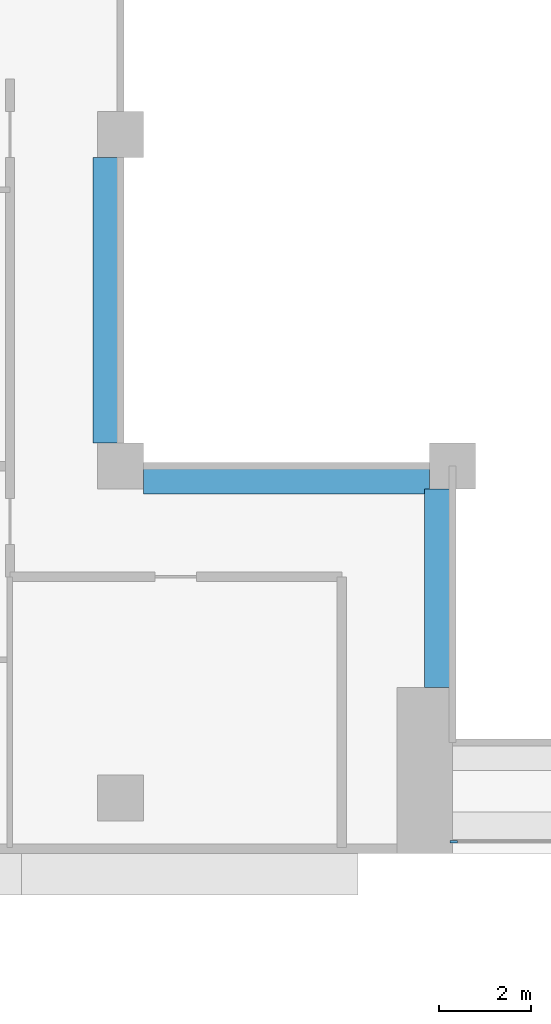
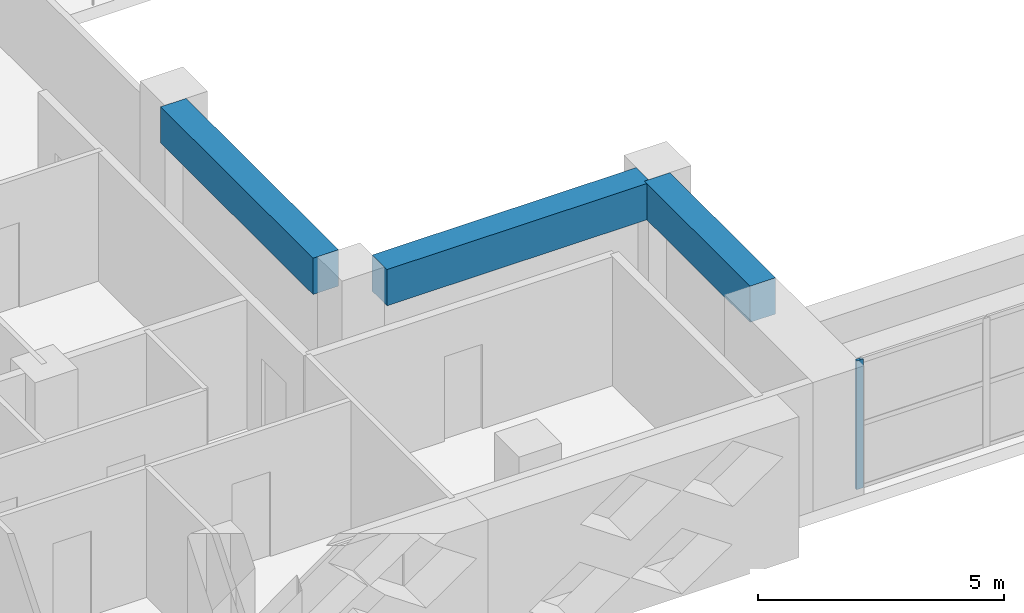
# One storey, part 2 of 20: 3 beams, 1 member, 1 element without a shape of its own.
"""IFC4 building model written with IfcOpenShell, lengths in metres."""

from ifc_helpers import new_model, si_unit, direction, frame, origin, origin_2d, place, context, subcontext, project, spatial, rectangle, extrude, source, transform, mapped, material, layer, layer_set, material_profile, profile_set, type_object, element, aggregate, save


model = new_model("IFC4")

# Units and contexts
model_context = context("Model", 3, precision=1e-05, world=origin(), true_north=direction((0.0, 1.0)))
body_context = subcontext(model_context, "Body", "Model", "MODEL_VIEW")
ifc_project = project(units=[si_unit("LENGTHUNIT", "METRE"), si_unit("AREAUNIT", "SQUARE_METRE"), si_unit("VOLUMEUNIT", "CUBIC_METRE"), si_unit("PLANEANGLEUNIT", "RADIAN"), si_unit("MASSUNIT", "GRAM", prefix="KILO")], contexts=[model_context])

# Site, building, storey
site_placement = place(None, origin())
site = spatial("IfcSite", under=ifc_project, at=site_placement, CompositionType="ELEMENT")
building_placement = place(site_placement, origin())
building = spatial("IfcBuilding", under=site, at=building_placement, Name="Saffron Iwan Residences", CompositionType="ELEMENT")
storey_placement = place(building_placement, frame((0.0, 0.0, 171.0)))
storey = spatial("IfcBuildingStorey", under=building, at=storey_placement, Name="L45", CompositionType="ELEMENT", Elevation=171.0)

# Beams
ifc_material_1 = material(Name="Concrete C50/60", Category="concrete")
ifc_material_profile_1 = material_profile(ifc_material_1, rectangle(XDim=0.60009765625, YDim=0.89990234375, at=origin_2d()), Name="RC 600x900")
ifc_profile_set_1 = profile_set([ifc_material_profile_1], Name="Concrete C50/60")
beam_type = type_object("IfcBeamType", Name="BEAM RC 600x900 C50/60 TOP 3200", PredefinedType="BEAM", material=ifc_profile_set_1)
shared_shape_1 = source(origin(), body_context, "Body", "SweptSolid", [
    extrude(rectangle(XDim=0.60009765625, YDim=0.89990234375, at=origin_2d()), origin(), (0.0, 0.0, 1.0), 4.300048828125),
])
beam_placement = place(storey_placement, frame((42.89990234375, 43.199951171875, 2.75), z_axis=(0.0, 1.0, 0.0), x_axis=(-1.0, 0.0, 0.0)))
element("IfcBeam", 1, at=beam_placement, inside=storey, type_object=beam_type, Name="Atrium edge beam", PredefinedType="BEAM", context=body_context, shape_type="MappedRepresentation", body=[
    mapped(shared_shape_1, transform((0.0, 0.0, 0.0))),
])
shared_shape_2 = source(origin(), body_context, "Body", "SweptSolid", [
    extrude(rectangle(XDim=0.60009765625, YDim=0.89990234375, at=origin_2d()), origin(), (0.0, 0.0, 1.0), 6.199951171875),
])
for number, where, z_axis, x_axis, name in (
    (2, (42.699951171875, 47.699951171875, 2.75), (-1.0, 0.0, 0.0), (0.0, -1.0, 0.0), "Atrium edge beam"),
    (3, (35.699951171875, 48.5, 2.75), (0.0, 1.0, 0.0), (-1.0, 0.0, 0.0), "Atrium edge beam"),
):
    element("IfcBeam", number, at=place(storey_placement, frame(where, z_axis=z_axis, x_axis=x_axis)), inside=storey, type_object=beam_type, Name=name, PredefinedType="BEAM", context=body_context, shape_type="MappedRepresentation", body=[
        mapped(shared_shape_2, transform((0.0, 0.0, 0.0))),
    ])

# Curtain wall, member
ifc_material_2 = material(Name="Clear glass, laminated double glazed", Category="glass")
ifc_layer = layer(ifc_material_2, 0.199951171875)
ifc_layer_set = layer_set([ifc_layer], Name="Clear glass, laminated double glazed")
curtain_wall_type = type_object("IfcCurtainWallType", Name="CW-B IWAN PORTAL", PredefinedType="NOTDEFINED", material=ifc_layer_set)
curtain_wall_placement = place(storey_placement, origin())
curtain_wall = element("IfcCurtainWall", 4, at=curtain_wall_placement, inside=storey, type_object=curtain_wall_type, Name="Iwan portal glazing L45.1", PredefinedType="NOTDEFINED")
ifc_material_3 = material(Name="Aluminium 6063-T6", Category="aluminium")
ifc_material_profile_2 = material_profile(ifc_material_3, rectangle(XDim=0.06005859375, YDim=0.159912109375, at=origin_2d()), Name="CW-B MULLION 60 x 160")
ifc_profile_set_2 = profile_set([ifc_material_profile_2], Name="Aluminium 6063-T6")
member_type = type_object("IfcMemberType", Name="CW-B MULLION 60 x 160", PredefinedType="MULLION", material=ifc_profile_set_2)
shared_shape_3 = source(origin(), body_context, "Body", "SweptSolid", [
    extrude(rectangle(XDim=0.06005859375, YDim=0.159912109375, at=origin_2d()), origin(), (0.0, 0.0, 1.0), 3.199951171875),
])
member_placement = place(storey_placement, frame((43.22998046875, 39.85009765625, 0.0), z_axis=(0.0, 0.0, 1.0), x_axis=(0.0, 1.0, 0.0)))
member = element("IfcMember", 5, at=member_placement, type_object=member_type, Name="CW-B mullion 1", PredefinedType="MULLION", context=body_context, shape_type="MappedRepresentation", body=[
    mapped(shared_shape_3, transform((0.0, 0.0, 0.0))),
])
aggregate(curtain_wall, [member])

save(model, "model.ifc")
